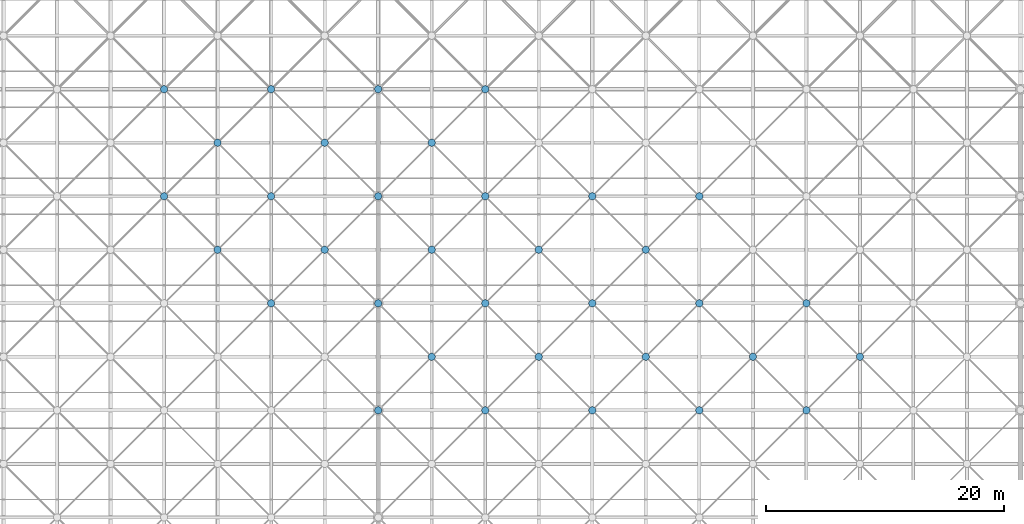
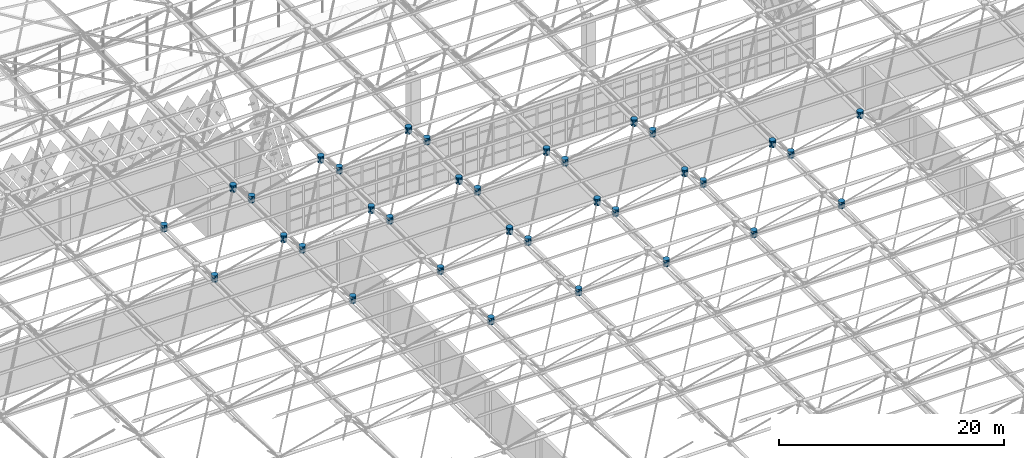
# One storey, part 310 of 437: 34 discrete accessories.
"""IFC4 building model written with IfcOpenShell, lengths in metres."""

import ifcopenshell
import ifcopenshell.guid

model = None  # the IFC model being written
_history = None  # IfcOwnerHistory: only IFC2X3 demands one
_inside = {}  # id of a spatial element -> (the spatial element, [elements in it])
_under = {}  # id of a project, library or spatial element -> (it, [spatial elements below it])
_declared = {}  # id of a project -> (the project, [libraries it declares])
_typed = {}  # id of a type object -> (the type object, [elements of that type])
_made_of = {}  # id of a material, layer set ... -> (it, [elements and type objects made of it])


def new_model(schema):
    """Start an empty IFC model of exactly this schema.

    Asked for "IFC4X3", IfcOpenShell would pick the latest addendum, in which some entities
    have other attributes; the version numbers below select the first issue.
    IFC2X3 requires an IfcOwnerHistory on every rooted entity: one is made here for all.
    """
    global model, _history
    if schema == "IFC4X3":
        model = ifcopenshell.file(schema_version=(4, 3, 0, 0))
    else:
        model = ifcopenshell.file(schema=schema)
    _inside.clear()
    _under.clear()
    _declared.clear()
    _typed.clear()
    _made_of.clear()
    _history = None
    if model.schema == "IFC2X3":
        org = make("IfcOrganization", Name="unknown")
        user = make(
            "IfcPersonAndOrganization",
            ThePerson=make("IfcPerson", FamilyName="unknown"),
            TheOrganization=org,
        )
        app = make(
            "IfcApplication",
            ApplicationDeveloper=org,
            Version="unknown",
            ApplicationFullName="unknown",
            ApplicationIdentifier="unknown",
        )
        _history = make(
            "IfcOwnerHistory",
            OwningUser=user,
            OwningApplication=app,
            ChangeAction="ADDED",
            CreationDate=0,
        )
    return model


def make(cls, **values):
    """One entity of the class cls with the attributes given. An attribute that is None is left unset."""
    return model.create_entity(
        cls, **{name: value for name, value in values.items() if value is not None}
    )


def rooted(cls, **values):
    """An entity with a GlobalId (a new one), such as an element, a storey or a relation."""
    return make(cls, GlobalId=ifcopenshell.guid.new(), OwnerHistory=_history, **values)


def si_unit(unit_type, name, prefix=None):
    """IfcSIUnit, for example si_unit("LENGTHUNIT", "METRE", prefix="MILLI")."""
    return make("IfcSIUnit", UnitType=unit_type, Prefix=prefix, Name=name)


def assignment(units):
    """IfcUnitAssignment: the units of a project."""
    return None if units is None else make("IfcUnitAssignment", Units=units)


def point(xyz):
    """IfcCartesianPoint."""
    return None if xyz is None else make("IfcCartesianPoint", Coordinates=xyz)


def direction(xyz):
    """IfcDirection."""
    return None if xyz is None else make("IfcDirection", DirectionRatios=xyz)


def frame(location, z_axis=None, x_axis=None):
    """IfcAxis2Placement3D, a coordinate frame: its origin and axes. An axis left out is left unset."""
    return make(
        "IfcAxis2Placement3D",
        Location=point(location),
        Axis=direction(z_axis),
        RefDirection=direction(x_axis),
    )


def origin():
    """The frame at (0, 0, 0) with its axes left unset."""
    return frame((0.0, 0.0, 0.0))


def place(relative_to, where):
    """IfcLocalPlacement: puts the frame where relative to a parent placement (None: the world)."""
    return make(
        "IfcLocalPlacement", PlacementRelTo=relative_to, RelativePlacement=where
    )


def context(
    kind, dimensions, precision=None, world=None, true_north=None, identifier=None
):
    """IfcGeometricRepresentationContext, for example the 3D "Model" context."""
    return make(
        "IfcGeometricRepresentationContext",
        ContextIdentifier=identifier,
        ContextType=kind,
        CoordinateSpaceDimension=dimensions,
        Precision=precision,
        WorldCoordinateSystem=world,
        TrueNorth=true_north,
    )


def subcontext(parent, identifier, kind, view, scale=None):
    """IfcGeometricRepresentationSubContext, for example "Body" below "Model"."""
    return make(
        "IfcGeometricRepresentationSubContext",
        ContextIdentifier=identifier,
        ContextType=kind,
        ParentContext=parent,
        TargetScale=scale,
        TargetView=view,
    )


def project(units=None, contexts=None):
    """IfcProject with its units and contexts."""
    return rooted(
        "IfcProject",
        Name="project",
        RepresentationContexts=contexts,
        UnitsInContext=assignment(units),
    )


def spatial(cls, under=None, at=None, **own):
    """A site, building, storey or space (cls), placed at a placement, below another one or the project."""
    s = rooted(cls, ObjectPlacement=at, **own)
    if under is not None:
        _under.setdefault(under.id(), (under, []))[1].append(s)
    return s


def polyline(points):
    """IfcPolyline through the points."""
    return make("IfcPolyline", Points=[point(p) for p in points])


def outline(outer, holes=None, kind="AREA"):
    """IfcArbitraryClosedProfileDef: a profile drawn as a closed curve; with holes, ...WithVoids."""
    if holes is None:
        return make("IfcArbitraryClosedProfileDef", ProfileType=kind, OuterCurve=outer)
    return make(
        "IfcArbitraryProfileDefWithVoids",
        ProfileType=kind,
        OuterCurve=outer,
        InnerCurves=holes,
    )


def extrude(swept, where, along, depth):
    """IfcExtrudedAreaSolid: the profile swept, set in the frame where, extruded along a direction by depth."""
    return make(
        "IfcExtrudedAreaSolid",
        SweptArea=swept,
        Position=where,
        ExtrudedDirection=direction(along),
        Depth=depth,
    )


def shape(context_of_items, identifier, shape_type, items):
    """IfcShapeRepresentation: the items that make up one representation, for example the "Body"."""
    return make(
        "IfcShapeRepresentation",
        ContextOfItems=context_of_items,
        RepresentationIdentifier=identifier,
        RepresentationType=shape_type,
        Items=items,
    )


def material(Name=None, Category=None):
    """IfcMaterial."""
    return make("IfcMaterial", Name=Name, Category=Category)


def made_of(thing, what):
    """Note that an element or type object is made of a material, layer set ...; save() writes the relation."""
    if what is not None:
        _made_of.setdefault(what.id(), (what, []))[1].append(thing)
    return thing


def type_object(cls, material=None, **own):
    """A type object (cls), such as IfcWallType, which elements share."""
    return made_of(rooted(cls, **own), material)


def element(
    cls,
    number,
    at=None,
    inside=None,
    cuts=None,
    type_object=None,
    material=None,
    context=None,
    identifier="Body",
    shape_type=None,
    held_by="IfcProductDefinitionShape",
    body=None,
    shapes=None,
    **own,
):
    """One element of the class cls, such as IfcWall. Its Tag is "e" and its number.

    at: its placement. inside: the storey or other place that contains it. cuts: it is an
    opening in that element (IfcRelVoidsElement). A single representation is given by context,
    identifier, shape_type and body (its items); several are given by shapes. held_by: the class
    of the entity that holds the representations. save() writes the other relations.
    """
    e = rooted(cls, Tag="e%d" % number, ObjectPlacement=at, **own)
    if body is not None:
        shapes = [shape(context, identifier, shape_type, body)]
    if shapes is not None:
        e.Representation = make(held_by, Representations=shapes)
    if inside is not None:
        _inside.setdefault(inside.id(), (inside, []))[1].append(e)
    if cuts is not None:
        rooted(
            "IfcRelVoidsElement", RelatingBuildingElement=cuts, RelatedOpeningElement=e
        )
    if type_object is not None:
        _typed.setdefault(type_object.id(), (type_object, []))[1].append(e)
    return made_of(e, material)


def aggregate(whole, parts):
    """IfcRelAggregates: a whole, such as a stair, and the parts it consists of."""
    return rooted("IfcRelAggregates", RelatingObject=whole, RelatedObjects=parts)


def save(model, path):
    """Write the relations noted so far, then the file.

    IfcRelAggregates (storeys below a building ...), IfcRelContainedInSpatialStructure (elements
    in a storey), IfcRelDefinesByType, IfcRelAssociatesMaterial and IfcRelDeclares: one each for
    every whole, place, type object, material and project.
    """
    for whole, parts in _under.values():
        aggregate(whole, parts)
    for where, things in _inside.values():
        rooted(
            "IfcRelContainedInSpatialStructure",
            RelatedElements=things,
            RelatingStructure=where,
        )
    for kind, things in _typed.values():
        rooted("IfcRelDefinesByType", RelatedObjects=things, RelatingType=kind)
    for what, things in _made_of.values():
        rooted("IfcRelAssociatesMaterial", RelatedObjects=things, RelatingMaterial=what)
    for by, libraries in _declared.values():
        rooted("IfcRelDeclares", RelatingContext=by, RelatedDefinitions=libraries)
    model.write(path)


model = new_model("IFC4")

# Units and contexts
model_context = context("Model", 3, precision=1e-05, world=origin(), true_north=direction((0.0, 1.0)))
body_context = subcontext(model_context, "Body", "Model", "MODEL_VIEW")
ifc_project = project(units=[si_unit("LENGTHUNIT", "METRE"), si_unit("AREAUNIT", "SQUARE_METRE"), si_unit("VOLUMEUNIT", "CUBIC_METRE"), si_unit("PLANEANGLEUNIT", "RADIAN"), si_unit("MASSUNIT", "GRAM", prefix="KILO")], contexts=[model_context])

# Site, building, storey
site_placement = place(None, origin())
site = spatial("IfcSite", under=ifc_project, at=site_placement, CompositionType="ELEMENT")
building_placement = place(site_placement, origin())
building = spatial("IfcBuilding", under=site, at=building_placement, Name="Opaline Strait Convention Centre", CompositionType="ELEMENT")
storey_placement = place(building_placement, frame((0.0, 0.0, 11.5)))
storey = spatial("IfcBuildingStorey", under=building, at=storey_placement, Name="L02", CompositionType="ELEMENT", Elevation=11.5)

# Discrete accessories
ifc_material = material(Name="Cast steel ZG300-500H (300 MPa)", Category="steel")
discrete_accessory_type = type_object("IfcDiscreteAccessoryType", Name="Space frame node hub D600", PredefinedType="USERDEFINED", material=ifc_material)
discrete_accessory_1_placement = place(storey_placement, frame((0.0, 0.0, 17.611572265625)))
element("IfcDiscreteAccessory", 1, at=discrete_accessory_1_placement, inside=storey, type_object=discrete_accessory_type, Name="Top node 7/10", ObjectType="NODE HUB", PredefinedType="USERDEFINED", context=body_context, shape_type="SweptSolid", body=[
    extrude(outline(polyline([(139.800048828125, 121.559814453125), (139.75439453125, 121.669921875), (139.669921875, 121.75439453125), (139.559814453125, 121.800048828125), (139.440185546875, 121.800048828125), (139.330078125, 121.75439453125), (139.24560546875, 121.669921875), (139.199951171875, 121.559814453125), (139.199951171875, 121.440185546875), (139.24560546875, 121.330078125), (139.330078125, 121.24560546875), (139.440185546875, 121.199951171875), (139.559814453125, 121.199951171875), (139.669921875, 121.24560546875), (139.75439453125, 121.330078125), (139.800048828125, 121.440185546875), (139.800048828125, 121.559814453125)])), origin(), (0.0, 0.0, 1.0), 0.719970703125),
])
discrete_accessory_2_placement = place(storey_placement, frame((0.0, 0.0, 17.611572265625)))
element("IfcDiscreteAccessory", 2, at=discrete_accessory_2_placement, inside=storey, type_object=discrete_accessory_type, Name="Top node 7/11", ObjectType="NODE HUB", PredefinedType="USERDEFINED", context=body_context, shape_type="SweptSolid", body=[
    extrude(outline(polyline([(139.800048828125, 130.559814453125), (139.75439453125, 130.669921875), (139.669921875, 130.75439453125), (139.559814453125, 130.800048828125), (139.440185546875, 130.800048828125), (139.330078125, 130.75439453125), (139.24560546875, 130.669921875), (139.199951171875, 130.559814453125), (139.199951171875, 130.440185546875), (139.24560546875, 130.330078125), (139.330078125, 130.24560546875), (139.440185546875, 130.199951171875), (139.559814453125, 130.199951171875), (139.669921875, 130.24560546875), (139.75439453125, 130.330078125), (139.800048828125, 130.440185546875), (139.800048828125, 130.559814453125)])), origin(), (0.0, 0.0, 1.0), 0.719970703125),
])
discrete_accessory_3_placement = place(storey_placement, frame((0.0, 0.0, 17.611572265625)))
element("IfcDiscreteAccessory", 3, at=discrete_accessory_3_placement, inside=storey, type_object=discrete_accessory_type, Name="Top node 8/10", ObjectType="NODE HUB", PredefinedType="USERDEFINED", context=body_context, shape_type="SweptSolid", body=[
    extrude(outline(polyline([(148.800048828125, 121.559814453125), (148.75439453125, 121.669921875), (148.669921875, 121.75439453125), (148.559814453125, 121.800048828125), (148.440185546875, 121.800048828125), (148.330078125, 121.75439453125), (148.24560546875, 121.669921875), (148.199951171875, 121.559814453125), (148.199951171875, 121.440185546875), (148.24560546875, 121.330078125), (148.330078125, 121.24560546875), (148.440185546875, 121.199951171875), (148.559814453125, 121.199951171875), (148.669921875, 121.24560546875), (148.75439453125, 121.330078125), (148.800048828125, 121.440185546875), (148.800048828125, 121.559814453125)])), origin(), (0.0, 0.0, 1.0), 0.719970703125),
])
discrete_accessory_4_placement = place(storey_placement, frame((0.0, 0.0, 17.611572265625)))
element("IfcDiscreteAccessory", 4, at=discrete_accessory_4_placement, inside=storey, type_object=discrete_accessory_type, Name="Top node 8/11", ObjectType="NODE HUB", PredefinedType="USERDEFINED", context=body_context, shape_type="SweptSolid", body=[
    extrude(outline(polyline([(148.800048828125, 130.559814453125), (148.75439453125, 130.669921875), (148.669921875, 130.75439453125), (148.559814453125, 130.800048828125), (148.440185546875, 130.800048828125), (148.330078125, 130.75439453125), (148.24560546875, 130.669921875), (148.199951171875, 130.559814453125), (148.199951171875, 130.440185546875), (148.24560546875, 130.330078125), (148.330078125, 130.24560546875), (148.440185546875, 130.199951171875), (148.559814453125, 130.199951171875), (148.669921875, 130.24560546875), (148.75439453125, 130.330078125), (148.800048828125, 130.440185546875), (148.800048828125, 130.559814453125)])), origin(), (0.0, 0.0, 1.0), 0.719970703125),
])
discrete_accessory_5_placement = place(storey_placement, frame((0.0, 0.0, 17.611572265625)))
element("IfcDiscreteAccessory", 5, at=discrete_accessory_5_placement, inside=storey, type_object=discrete_accessory_type, Name="Top node 9/9", ObjectType="NODE HUB", PredefinedType="USERDEFINED", context=body_context, shape_type="SweptSolid", body=[
    extrude(outline(polyline([(157.800048828125, 112.559814453125), (157.75439453125, 112.669921875), (157.669921875, 112.75439453125), (157.559814453125, 112.800048828125), (157.440185546875, 112.800048828125), (157.330078125, 112.75439453125), (157.24560546875, 112.669921875), (157.199951171875, 112.559814453125), (157.199951171875, 112.440185546875), (157.24560546875, 112.330078125), (157.330078125, 112.24560546875), (157.440185546875, 112.199951171875), (157.559814453125, 112.199951171875), (157.669921875, 112.24560546875), (157.75439453125, 112.330078125), (157.800048828125, 112.440185546875), (157.800048828125, 112.559814453125)])), origin(), (0.0, 0.0, 1.0), 0.719970703125),
])
discrete_accessory_6_placement = place(storey_placement, frame((0.0, 0.0, 17.611572265625)))
element("IfcDiscreteAccessory", 6, at=discrete_accessory_6_placement, inside=storey, type_object=discrete_accessory_type, Name="Top node 9/10", ObjectType="NODE HUB", PredefinedType="USERDEFINED", context=body_context, shape_type="SweptSolid", body=[
    extrude(outline(polyline([(157.800048828125, 121.559814453125), (157.75439453125, 121.669921875), (157.669921875, 121.75439453125), (157.559814453125, 121.800048828125), (157.440185546875, 121.800048828125), (157.330078125, 121.75439453125), (157.24560546875, 121.669921875), (157.199951171875, 121.559814453125), (157.199951171875, 121.440185546875), (157.24560546875, 121.330078125), (157.330078125, 121.24560546875), (157.440185546875, 121.199951171875), (157.559814453125, 121.199951171875), (157.669921875, 121.24560546875), (157.75439453125, 121.330078125), (157.800048828125, 121.440185546875), (157.800048828125, 121.559814453125)])), origin(), (0.0, 0.0, 1.0), 0.719970703125),
])
discrete_accessory_7_placement = place(storey_placement, frame((0.0, 0.0, 17.611572265625)))
element("IfcDiscreteAccessory", 7, at=discrete_accessory_7_placement, inside=storey, type_object=discrete_accessory_type, Name="Top node 9/11", ObjectType="NODE HUB", PredefinedType="USERDEFINED", context=body_context, shape_type="SweptSolid", body=[
    extrude(outline(polyline([(157.800048828125, 130.559814453125), (157.75439453125, 130.669921875), (157.669921875, 130.75439453125), (157.559814453125, 130.800048828125), (157.440185546875, 130.800048828125), (157.330078125, 130.75439453125), (157.24560546875, 130.669921875), (157.199951171875, 130.559814453125), (157.199951171875, 130.440185546875), (157.24560546875, 130.330078125), (157.330078125, 130.24560546875), (157.440185546875, 130.199951171875), (157.559814453125, 130.199951171875), (157.669921875, 130.24560546875), (157.75439453125, 130.330078125), (157.800048828125, 130.440185546875), (157.800048828125, 130.559814453125)])), origin(), (0.0, 0.0, 1.0), 0.719970703125),
])
discrete_accessory_8_placement = place(storey_placement, frame((0.0, 0.0, 17.611572265625)))
element("IfcDiscreteAccessory", 8, at=discrete_accessory_8_placement, inside=storey, type_object=discrete_accessory_type, Name="Top node 10/9", ObjectType="NODE HUB", PredefinedType="USERDEFINED", context=body_context, shape_type="SweptSolid", body=[
    extrude(outline(polyline([(166.800048828125, 112.559814453125), (166.75439453125, 112.669921875), (166.669921875, 112.75439453125), (166.559814453125, 112.800048828125), (166.440185546875, 112.800048828125), (166.330078125, 112.75439453125), (166.24560546875, 112.669921875), (166.199951171875, 112.559814453125), (166.199951171875, 112.440185546875), (166.24560546875, 112.330078125), (166.330078125, 112.24560546875), (166.440185546875, 112.199951171875), (166.559814453125, 112.199951171875), (166.669921875, 112.24560546875), (166.75439453125, 112.330078125), (166.800048828125, 112.440185546875), (166.800048828125, 112.559814453125)])), origin(), (0.0, 0.0, 1.0), 0.719970703125),
])
discrete_accessory_9_placement = place(storey_placement, frame((0.0, 0.0, 17.611572265625)))
element("IfcDiscreteAccessory", 9, at=discrete_accessory_9_placement, inside=storey, type_object=discrete_accessory_type, Name="Top node 10/10", ObjectType="NODE HUB", PredefinedType="USERDEFINED", context=body_context, shape_type="SweptSolid", body=[
    extrude(outline(polyline([(166.800048828125, 121.559814453125), (166.75439453125, 121.669921875), (166.669921875, 121.75439453125), (166.559814453125, 121.800048828125), (166.440185546875, 121.800048828125), (166.330078125, 121.75439453125), (166.24560546875, 121.669921875), (166.199951171875, 121.559814453125), (166.199951171875, 121.440185546875), (166.24560546875, 121.330078125), (166.330078125, 121.24560546875), (166.440185546875, 121.199951171875), (166.559814453125, 121.199951171875), (166.669921875, 121.24560546875), (166.75439453125, 121.330078125), (166.800048828125, 121.440185546875), (166.800048828125, 121.559814453125)])), origin(), (0.0, 0.0, 1.0), 0.719970703125),
])
discrete_accessory_10_placement = place(storey_placement, frame((0.0, 0.0, 17.611572265625)))
element("IfcDiscreteAccessory", 10, at=discrete_accessory_10_placement, inside=storey, type_object=discrete_accessory_type, Name="Top node 11/9", ObjectType="NODE HUB", PredefinedType="USERDEFINED", context=body_context, shape_type="SweptSolid", body=[
    extrude(outline(polyline([(175.800048828125, 112.559814453125), (175.75439453125, 112.669921875), (175.669921875, 112.75439453125), (175.559814453125, 112.800048828125), (175.440185546875, 112.800048828125), (175.330078125, 112.75439453125), (175.24560546875, 112.669921875), (175.199951171875, 112.559814453125), (175.199951171875, 112.440185546875), (175.24560546875, 112.330078125), (175.330078125, 112.24560546875), (175.440185546875, 112.199951171875), (175.559814453125, 112.199951171875), (175.669921875, 112.24560546875), (175.75439453125, 112.330078125), (175.800048828125, 112.440185546875), (175.800048828125, 112.559814453125)])), origin(), (0.0, 0.0, 1.0), 0.719970703125),
])
discrete_accessory_11_placement = place(storey_placement, frame((0.0, 0.0, 17.611572265625)))
element("IfcDiscreteAccessory", 11, at=discrete_accessory_11_placement, inside=storey, type_object=discrete_accessory_type, Name="Top node 11/10", ObjectType="NODE HUB", PredefinedType="USERDEFINED", context=body_context, shape_type="SweptSolid", body=[
    extrude(outline(polyline([(175.800048828125, 121.559814453125), (175.75439453125, 121.669921875), (175.669921875, 121.75439453125), (175.559814453125, 121.800048828125), (175.440185546875, 121.800048828125), (175.330078125, 121.75439453125), (175.24560546875, 121.669921875), (175.199951171875, 121.559814453125), (175.199951171875, 121.440185546875), (175.24560546875, 121.330078125), (175.330078125, 121.24560546875), (175.440185546875, 121.199951171875), (175.559814453125, 121.199951171875), (175.669921875, 121.24560546875), (175.75439453125, 121.330078125), (175.800048828125, 121.440185546875), (175.800048828125, 121.559814453125)])), origin(), (0.0, 0.0, 1.0), 0.719970703125),
])
discrete_accessory_12_placement = place(storey_placement, frame((0.0, 0.0, 17.611572265625)))
element("IfcDiscreteAccessory", 12, at=discrete_accessory_12_placement, inside=storey, type_object=discrete_accessory_type, Name="Top node 12/9", ObjectType="NODE HUB", PredefinedType="USERDEFINED", context=body_context, shape_type="SweptSolid", body=[
    extrude(outline(polyline([(184.800048828125, 112.559814453125), (184.75439453125, 112.669921875), (184.669921875, 112.75439453125), (184.559814453125, 112.800048828125), (184.440185546875, 112.800048828125), (184.330078125, 112.75439453125), (184.24560546875, 112.669921875), (184.199951171875, 112.559814453125), (184.199951171875, 112.440185546875), (184.24560546875, 112.330078125), (184.330078125, 112.24560546875), (184.440185546875, 112.199951171875), (184.559814453125, 112.199951171875), (184.669921875, 112.24560546875), (184.75439453125, 112.330078125), (184.800048828125, 112.440185546875), (184.800048828125, 112.559814453125)])), origin(), (0.0, 0.0, 1.0), 0.719970703125),
])
discrete_accessory_13_placement = place(storey_placement, frame((0.0, 0.0, 17.611572265625)))
element("IfcDiscreteAccessory", 13, at=discrete_accessory_13_placement, inside=storey, type_object=discrete_accessory_type, Name="Top node 13/9", ObjectType="NODE HUB", PredefinedType="USERDEFINED", context=body_context, shape_type="SweptSolid", body=[
    extrude(outline(polyline([(193.800048828125, 112.559814453125), (193.75439453125, 112.669921875), (193.669921875, 112.75439453125), (193.559814453125, 112.800048828125), (193.440185546875, 112.800048828125), (193.330078125, 112.75439453125), (193.24560546875, 112.669921875), (193.199951171875, 112.559814453125), (193.199951171875, 112.440185546875), (193.24560546875, 112.330078125), (193.330078125, 112.24560546875), (193.440185546875, 112.199951171875), (193.559814453125, 112.199951171875), (193.669921875, 112.24560546875), (193.75439453125, 112.330078125), (193.800048828125, 112.440185546875), (193.800048828125, 112.559814453125)])), origin(), (0.0, 0.0, 1.0), 0.719970703125),
])
discrete_accessory_14_placement = place(storey_placement, frame((0.0, 0.0, 12.139892578125)))
element("IfcDiscreteAccessory", 14, at=discrete_accessory_14_placement, inside=storey, type_object=discrete_accessory_type, Name="Bottom node 6/10", ObjectType="NODE HUB", PredefinedType="USERDEFINED", context=body_context, shape_type="SweptSolid", body=[
    extrude(outline(polyline([(135.300048828125, 126.059814453125), (135.25439453125, 126.169921875), (135.169921875, 126.25439453125), (135.059814453125, 126.300048828125), (134.940185546875, 126.300048828125), (134.830078125, 126.25439453125), (134.74560546875, 126.169921875), (134.699951171875, 126.059814453125), (134.699951171875, 125.940185546875), (134.74560546875, 125.830078125), (134.830078125, 125.74560546875), (134.940185546875, 125.699951171875), (135.059814453125, 125.699951171875), (135.169921875, 125.74560546875), (135.25439453125, 125.830078125), (135.300048828125, 125.940185546875), (135.300048828125, 126.059814453125)])), origin(), (0.0, 0.0, 1.0), 0.72021484375),
])
discrete_accessory_15_placement = place(storey_placement, frame((0.0, 0.0, 12.139892578125)))
element("IfcDiscreteAccessory", 15, at=discrete_accessory_15_placement, inside=storey, type_object=discrete_accessory_type, Name="Bottom node 6/11", ObjectType="NODE HUB", PredefinedType="USERDEFINED", context=body_context, shape_type="SweptSolid", body=[
    extrude(outline(polyline([(135.300048828125, 135.059814453125), (135.25439453125, 135.169921875), (135.169921875, 135.25439453125), (135.059814453125, 135.300048828125), (134.940185546875, 135.300048828125), (134.830078125, 135.25439453125), (134.74560546875, 135.169921875), (134.699951171875, 135.059814453125), (134.699951171875, 134.940185546875), (134.74560546875, 134.830078125), (134.830078125, 134.74560546875), (134.940185546875, 134.699951171875), (135.059814453125, 134.699951171875), (135.169921875, 134.74560546875), (135.25439453125, 134.830078125), (135.300048828125, 134.940185546875), (135.300048828125, 135.059814453125)])), origin(), (0.0, 0.0, 1.0), 0.72021484375),
])
discrete_accessory_16_placement = place(storey_placement, frame((0.0, 0.0, 12.139892578125)))
element("IfcDiscreteAccessory", 16, at=discrete_accessory_16_placement, inside=storey, type_object=discrete_accessory_type, Name="Bottom node 7/9", ObjectType="NODE HUB", PredefinedType="USERDEFINED", context=body_context, shape_type="SweptSolid", body=[
    extrude(outline(polyline([(144.300048828125, 117.059814453125), (144.25439453125, 117.169921875), (144.169921875, 117.25439453125), (144.059814453125, 117.300048828125), (143.940185546875, 117.300048828125), (143.830078125, 117.25439453125), (143.74560546875, 117.169921875), (143.699951171875, 117.059814453125), (143.699951171875, 116.940185546875), (143.74560546875, 116.830078125), (143.830078125, 116.74560546875), (143.940185546875, 116.699951171875), (144.059814453125, 116.699951171875), (144.169921875, 116.74560546875), (144.25439453125, 116.830078125), (144.300048828125, 116.940185546875), (144.300048828125, 117.059814453125)])), origin(), (0.0, 0.0, 1.0), 0.72021484375),
])
discrete_accessory_17_placement = place(storey_placement, frame((0.0, 0.0, 12.139892578125)))
element("IfcDiscreteAccessory", 17, at=discrete_accessory_17_placement, inside=storey, type_object=discrete_accessory_type, Name="Bottom node 7/10", ObjectType="NODE HUB", PredefinedType="USERDEFINED", context=body_context, shape_type="SweptSolid", body=[
    extrude(outline(polyline([(144.300048828125, 126.059814453125), (144.25439453125, 126.169921875), (144.169921875, 126.25439453125), (144.059814453125, 126.300048828125), (143.940185546875, 126.300048828125), (143.830078125, 126.25439453125), (143.74560546875, 126.169921875), (143.699951171875, 126.059814453125), (143.699951171875, 125.940185546875), (143.74560546875, 125.830078125), (143.830078125, 125.74560546875), (143.940185546875, 125.699951171875), (144.059814453125, 125.699951171875), (144.169921875, 125.74560546875), (144.25439453125, 125.830078125), (144.300048828125, 125.940185546875), (144.300048828125, 126.059814453125)])), origin(), (0.0, 0.0, 1.0), 0.72021484375),
])
discrete_accessory_18_placement = place(storey_placement, frame((0.0, 0.0, 12.139892578125)))
element("IfcDiscreteAccessory", 18, at=discrete_accessory_18_placement, inside=storey, type_object=discrete_accessory_type, Name="Bottom node 7/11", ObjectType="NODE HUB", PredefinedType="USERDEFINED", context=body_context, shape_type="SweptSolid", body=[
    extrude(outline(polyline([(144.300048828125, 135.059814453125), (144.25439453125, 135.169921875), (144.169921875, 135.25439453125), (144.059814453125, 135.300048828125), (143.940185546875, 135.300048828125), (143.830078125, 135.25439453125), (143.74560546875, 135.169921875), (143.699951171875, 135.059814453125), (143.699951171875, 134.940185546875), (143.74560546875, 134.830078125), (143.830078125, 134.74560546875), (143.940185546875, 134.699951171875), (144.059814453125, 134.699951171875), (144.169921875, 134.74560546875), (144.25439453125, 134.830078125), (144.300048828125, 134.940185546875), (144.300048828125, 135.059814453125)])), origin(), (0.0, 0.0, 1.0), 0.72021484375),
])
discrete_accessory_19_placement = place(storey_placement, frame((0.0, 0.0, 12.139892578125)))
element("IfcDiscreteAccessory", 19, at=discrete_accessory_19_placement, inside=storey, type_object=discrete_accessory_type, Name="Bottom node 8/8", ObjectType="NODE HUB", PredefinedType="USERDEFINED", context=body_context, shape_type="SweptSolid", body=[
    extrude(outline(polyline([(153.300048828125, 108.059814453125), (153.25439453125, 108.169921875), (153.169921875, 108.25439453125), (153.059814453125, 108.300048828125), (152.940185546875, 108.300048828125), (152.830078125, 108.25439453125), (152.74560546875, 108.169921875), (152.699951171875, 108.059814453125), (152.699951171875, 107.940185546875), (152.74560546875, 107.830078125), (152.830078125, 107.74560546875), (152.940185546875, 107.699951171875), (153.059814453125, 107.699951171875), (153.169921875, 107.74560546875), (153.25439453125, 107.830078125), (153.300048828125, 107.940185546875), (153.300048828125, 108.059814453125)])), origin(), (0.0, 0.0, 1.0), 0.72021484375),
])
discrete_accessory_20_placement = place(storey_placement, frame((0.0, 0.0, 12.139892578125)))
element("IfcDiscreteAccessory", 20, at=discrete_accessory_20_placement, inside=storey, type_object=discrete_accessory_type, Name="Bottom node 8/9", ObjectType="NODE HUB", PredefinedType="USERDEFINED", context=body_context, shape_type="SweptSolid", body=[
    extrude(outline(polyline([(153.300048828125, 117.059814453125), (153.25439453125, 117.169921875), (153.169921875, 117.25439453125), (153.059814453125, 117.300048828125), (152.940185546875, 117.300048828125), (152.830078125, 117.25439453125), (152.74560546875, 117.169921875), (152.699951171875, 117.059814453125), (152.699951171875, 116.940185546875), (152.74560546875, 116.830078125), (152.830078125, 116.74560546875), (152.940185546875, 116.699951171875), (153.059814453125, 116.699951171875), (153.169921875, 116.74560546875), (153.25439453125, 116.830078125), (153.300048828125, 116.940185546875), (153.300048828125, 117.059814453125)])), origin(), (0.0, 0.0, 1.0), 0.72021484375),
])
discrete_accessory_21_placement = place(storey_placement, frame((0.0, 0.0, 12.139892578125)))
element("IfcDiscreteAccessory", 21, at=discrete_accessory_21_placement, inside=storey, type_object=discrete_accessory_type, Name="Bottom node 8/10", ObjectType="NODE HUB", PredefinedType="USERDEFINED", context=body_context, shape_type="SweptSolid", body=[
    extrude(outline(polyline([(153.300048828125, 126.059814453125), (153.25439453125, 126.169921875), (153.169921875, 126.25439453125), (153.059814453125, 126.300048828125), (152.940185546875, 126.300048828125), (152.830078125, 126.25439453125), (152.74560546875, 126.169921875), (152.699951171875, 126.059814453125), (152.699951171875, 125.940185546875), (152.74560546875, 125.830078125), (152.830078125, 125.74560546875), (152.940185546875, 125.699951171875), (153.059814453125, 125.699951171875), (153.169921875, 125.74560546875), (153.25439453125, 125.830078125), (153.300048828125, 125.940185546875), (153.300048828125, 126.059814453125)])), origin(), (0.0, 0.0, 1.0), 0.72021484375),
])
discrete_accessory_22_placement = place(storey_placement, frame((0.0, 0.0, 12.139892578125)))
element("IfcDiscreteAccessory", 22, at=discrete_accessory_22_placement, inside=storey, type_object=discrete_accessory_type, Name="Bottom node 8/11", ObjectType="NODE HUB", PredefinedType="USERDEFINED", context=body_context, shape_type="SweptSolid", body=[
    extrude(outline(polyline([(153.300048828125, 135.059814453125), (153.25439453125, 135.169921875), (153.169921875, 135.25439453125), (153.059814453125, 135.300048828125), (152.940185546875, 135.300048828125), (152.830078125, 135.25439453125), (152.74560546875, 135.169921875), (152.699951171875, 135.059814453125), (152.699951171875, 134.940185546875), (152.74560546875, 134.830078125), (152.830078125, 134.74560546875), (152.940185546875, 134.699951171875), (153.059814453125, 134.699951171875), (153.169921875, 134.74560546875), (153.25439453125, 134.830078125), (153.300048828125, 134.940185546875), (153.300048828125, 135.059814453125)])), origin(), (0.0, 0.0, 1.0), 0.72021484375),
])
discrete_accessory_23_placement = place(storey_placement, frame((0.0, 0.0, 12.139892578125)))
element("IfcDiscreteAccessory", 23, at=discrete_accessory_23_placement, inside=storey, type_object=discrete_accessory_type, Name="Bottom node 9/8", ObjectType="NODE HUB", PredefinedType="USERDEFINED", context=body_context, shape_type="SweptSolid", body=[
    extrude(outline(polyline([(162.300048828125, 108.059814453125), (162.25439453125, 108.169921875), (162.169921875, 108.25439453125), (162.059814453125, 108.300048828125), (161.940185546875, 108.300048828125), (161.830078125, 108.25439453125), (161.74560546875, 108.169921875), (161.699951171875, 108.059814453125), (161.699951171875, 107.940185546875), (161.74560546875, 107.830078125), (161.830078125, 107.74560546875), (161.940185546875, 107.699951171875), (162.059814453125, 107.699951171875), (162.169921875, 107.74560546875), (162.25439453125, 107.830078125), (162.300048828125, 107.940185546875), (162.300048828125, 108.059814453125)])), origin(), (0.0, 0.0, 1.0), 0.72021484375),
])
discrete_accessory_24_placement = place(storey_placement, frame((0.0, 0.0, 12.139892578125)))
element("IfcDiscreteAccessory", 24, at=discrete_accessory_24_placement, inside=storey, type_object=discrete_accessory_type, Name="Bottom node 9/9", ObjectType="NODE HUB", PredefinedType="USERDEFINED", context=body_context, shape_type="SweptSolid", body=[
    extrude(outline(polyline([(162.300048828125, 117.059814453125), (162.25439453125, 117.169921875), (162.169921875, 117.25439453125), (162.059814453125, 117.300048828125), (161.940185546875, 117.300048828125), (161.830078125, 117.25439453125), (161.74560546875, 117.169921875), (161.699951171875, 117.059814453125), (161.699951171875, 116.940185546875), (161.74560546875, 116.830078125), (161.830078125, 116.74560546875), (161.940185546875, 116.699951171875), (162.059814453125, 116.699951171875), (162.169921875, 116.74560546875), (162.25439453125, 116.830078125), (162.300048828125, 116.940185546875), (162.300048828125, 117.059814453125)])), origin(), (0.0, 0.0, 1.0), 0.72021484375),
])
discrete_accessory_25_placement = place(storey_placement, frame((0.0, 0.0, 12.139892578125)))
element("IfcDiscreteAccessory", 25, at=discrete_accessory_25_placement, inside=storey, type_object=discrete_accessory_type, Name="Bottom node 9/10", ObjectType="NODE HUB", PredefinedType="USERDEFINED", context=body_context, shape_type="SweptSolid", body=[
    extrude(outline(polyline([(162.300048828125, 126.059814453125), (162.25439453125, 126.169921875), (162.169921875, 126.25439453125), (162.059814453125, 126.300048828125), (161.940185546875, 126.300048828125), (161.830078125, 126.25439453125), (161.74560546875, 126.169921875), (161.699951171875, 126.059814453125), (161.699951171875, 125.940185546875), (161.74560546875, 125.830078125), (161.830078125, 125.74560546875), (161.940185546875, 125.699951171875), (162.059814453125, 125.699951171875), (162.169921875, 125.74560546875), (162.25439453125, 125.830078125), (162.300048828125, 125.940185546875), (162.300048828125, 126.059814453125)])), origin(), (0.0, 0.0, 1.0), 0.72021484375),
])
discrete_accessory_26_placement = place(storey_placement, frame((0.0, 0.0, 12.139892578125)))
element("IfcDiscreteAccessory", 26, at=discrete_accessory_26_placement, inside=storey, type_object=discrete_accessory_type, Name="Bottom node 9/11", ObjectType="NODE HUB", PredefinedType="USERDEFINED", context=body_context, shape_type="SweptSolid", body=[
    extrude(outline(polyline([(162.300048828125, 135.059814453125), (162.25439453125, 135.169921875), (162.169921875, 135.25439453125), (162.059814453125, 135.300048828125), (161.940185546875, 135.300048828125), (161.830078125, 135.25439453125), (161.74560546875, 135.169921875), (161.699951171875, 135.059814453125), (161.699951171875, 134.940185546875), (161.74560546875, 134.830078125), (161.830078125, 134.74560546875), (161.940185546875, 134.699951171875), (162.059814453125, 134.699951171875), (162.169921875, 134.74560546875), (162.25439453125, 134.830078125), (162.300048828125, 134.940185546875), (162.300048828125, 135.059814453125)])), origin(), (0.0, 0.0, 1.0), 0.72021484375),
])
discrete_accessory_27_placement = place(storey_placement, frame((0.0, 0.0, 12.139892578125)))
element("IfcDiscreteAccessory", 27, at=discrete_accessory_27_placement, inside=storey, type_object=discrete_accessory_type, Name="Bottom node 10/8", ObjectType="NODE HUB", PredefinedType="USERDEFINED", context=body_context, shape_type="SweptSolid", body=[
    extrude(outline(polyline([(171.300048828125, 108.059814453125), (171.25439453125, 108.169921875), (171.169921875, 108.25439453125), (171.059814453125, 108.300048828125), (170.940185546875, 108.300048828125), (170.830078125, 108.25439453125), (170.74560546875, 108.169921875), (170.699951171875, 108.059814453125), (170.699951171875, 107.940185546875), (170.74560546875, 107.830078125), (170.830078125, 107.74560546875), (170.940185546875, 107.699951171875), (171.059814453125, 107.699951171875), (171.169921875, 107.74560546875), (171.25439453125, 107.830078125), (171.300048828125, 107.940185546875), (171.300048828125, 108.059814453125)])), origin(), (0.0, 0.0, 1.0), 0.72021484375),
])
discrete_accessory_28_placement = place(storey_placement, frame((0.0, 0.0, 12.139892578125)))
element("IfcDiscreteAccessory", 28, at=discrete_accessory_28_placement, inside=storey, type_object=discrete_accessory_type, Name="Bottom node 10/9", ObjectType="NODE HUB", PredefinedType="USERDEFINED", context=body_context, shape_type="SweptSolid", body=[
    extrude(outline(polyline([(171.300048828125, 117.059814453125), (171.25439453125, 117.169921875), (171.169921875, 117.25439453125), (171.059814453125, 117.300048828125), (170.940185546875, 117.300048828125), (170.830078125, 117.25439453125), (170.74560546875, 117.169921875), (170.699951171875, 117.059814453125), (170.699951171875, 116.940185546875), (170.74560546875, 116.830078125), (170.830078125, 116.74560546875), (170.940185546875, 116.699951171875), (171.059814453125, 116.699951171875), (171.169921875, 116.74560546875), (171.25439453125, 116.830078125), (171.300048828125, 116.940185546875), (171.300048828125, 117.059814453125)])), origin(), (0.0, 0.0, 1.0), 0.72021484375),
])
discrete_accessory_29_placement = place(storey_placement, frame((0.0, 0.0, 12.139892578125)))
element("IfcDiscreteAccessory", 29, at=discrete_accessory_29_placement, inside=storey, type_object=discrete_accessory_type, Name="Bottom node 10/10", ObjectType="NODE HUB", PredefinedType="USERDEFINED", context=body_context, shape_type="SweptSolid", body=[
    extrude(outline(polyline([(171.300048828125, 126.059814453125), (171.25439453125, 126.169921875), (171.169921875, 126.25439453125), (171.059814453125, 126.300048828125), (170.940185546875, 126.300048828125), (170.830078125, 126.25439453125), (170.74560546875, 126.169921875), (170.699951171875, 126.059814453125), (170.699951171875, 125.940185546875), (170.74560546875, 125.830078125), (170.830078125, 125.74560546875), (170.940185546875, 125.699951171875), (171.059814453125, 125.699951171875), (171.169921875, 125.74560546875), (171.25439453125, 125.830078125), (171.300048828125, 125.940185546875), (171.300048828125, 126.059814453125)])), origin(), (0.0, 0.0, 1.0), 0.72021484375),
])
discrete_accessory_30_placement = place(storey_placement, frame((0.0, 0.0, 12.139892578125)))
element("IfcDiscreteAccessory", 30, at=discrete_accessory_30_placement, inside=storey, type_object=discrete_accessory_type, Name="Bottom node 11/8", ObjectType="NODE HUB", PredefinedType="USERDEFINED", context=body_context, shape_type="SweptSolid", body=[
    extrude(outline(polyline([(180.300048828125, 108.059814453125), (180.25439453125, 108.169921875), (180.169921875, 108.25439453125), (180.059814453125, 108.300048828125), (179.940185546875, 108.300048828125), (179.830078125, 108.25439453125), (179.74560546875, 108.169921875), (179.699951171875, 108.059814453125), (179.699951171875, 107.940185546875), (179.74560546875, 107.830078125), (179.830078125, 107.74560546875), (179.940185546875, 107.699951171875), (180.059814453125, 107.699951171875), (180.169921875, 107.74560546875), (180.25439453125, 107.830078125), (180.300048828125, 107.940185546875), (180.300048828125, 108.059814453125)])), origin(), (0.0, 0.0, 1.0), 0.72021484375),
])
discrete_accessory_31_placement = place(storey_placement, frame((0.0, 0.0, 12.139892578125)))
element("IfcDiscreteAccessory", 31, at=discrete_accessory_31_placement, inside=storey, type_object=discrete_accessory_type, Name="Bottom node 11/9", ObjectType="NODE HUB", PredefinedType="USERDEFINED", context=body_context, shape_type="SweptSolid", body=[
    extrude(outline(polyline([(180.300048828125, 117.059814453125), (180.25439453125, 117.169921875), (180.169921875, 117.25439453125), (180.059814453125, 117.300048828125), (179.940185546875, 117.300048828125), (179.830078125, 117.25439453125), (179.74560546875, 117.169921875), (179.699951171875, 117.059814453125), (179.699951171875, 116.940185546875), (179.74560546875, 116.830078125), (179.830078125, 116.74560546875), (179.940185546875, 116.699951171875), (180.059814453125, 116.699951171875), (180.169921875, 116.74560546875), (180.25439453125, 116.830078125), (180.300048828125, 116.940185546875), (180.300048828125, 117.059814453125)])), origin(), (0.0, 0.0, 1.0), 0.72021484375),
])
discrete_accessory_32_placement = place(storey_placement, frame((0.0, 0.0, 12.139892578125)))
element("IfcDiscreteAccessory", 32, at=discrete_accessory_32_placement, inside=storey, type_object=discrete_accessory_type, Name="Bottom node 11/10", ObjectType="NODE HUB", PredefinedType="USERDEFINED", context=body_context, shape_type="SweptSolid", body=[
    extrude(outline(polyline([(180.300048828125, 126.059814453125), (180.25439453125, 126.169921875), (180.169921875, 126.25439453125), (180.059814453125, 126.300048828125), (179.940185546875, 126.300048828125), (179.830078125, 126.25439453125), (179.74560546875, 126.169921875), (179.699951171875, 126.059814453125), (179.699951171875, 125.940185546875), (179.74560546875, 125.830078125), (179.830078125, 125.74560546875), (179.940185546875, 125.699951171875), (180.059814453125, 125.699951171875), (180.169921875, 125.74560546875), (180.25439453125, 125.830078125), (180.300048828125, 125.940185546875), (180.300048828125, 126.059814453125)])), origin(), (0.0, 0.0, 1.0), 0.72021484375),
])
discrete_accessory_33_placement = place(storey_placement, frame((0.0, 0.0, 12.139892578125)))
element("IfcDiscreteAccessory", 33, at=discrete_accessory_33_placement, inside=storey, type_object=discrete_accessory_type, Name="Bottom node 12/8", ObjectType="NODE HUB", PredefinedType="USERDEFINED", context=body_context, shape_type="SweptSolid", body=[
    extrude(outline(polyline([(189.300048828125, 108.059814453125), (189.25439453125, 108.169921875), (189.169921875, 108.25439453125), (189.059814453125, 108.300048828125), (188.940185546875, 108.300048828125), (188.830078125, 108.25439453125), (188.74560546875, 108.169921875), (188.699951171875, 108.059814453125), (188.699951171875, 107.940185546875), (188.74560546875, 107.830078125), (188.830078125, 107.74560546875), (188.940185546875, 107.699951171875), (189.059814453125, 107.699951171875), (189.169921875, 107.74560546875), (189.25439453125, 107.830078125), (189.300048828125, 107.940185546875), (189.300048828125, 108.059814453125)])), origin(), (0.0, 0.0, 1.0), 0.72021484375),
])
discrete_accessory_34_placement = place(storey_placement, frame((0.0, 0.0, 12.139892578125)))
element("IfcDiscreteAccessory", 34, at=discrete_accessory_34_placement, inside=storey, type_object=discrete_accessory_type, Name="Bottom node 12/9", ObjectType="NODE HUB", PredefinedType="USERDEFINED", context=body_context, shape_type="SweptSolid", body=[
    extrude(outline(polyline([(189.300048828125, 117.059814453125), (189.25439453125, 117.169921875), (189.169921875, 117.25439453125), (189.059814453125, 117.300048828125), (188.940185546875, 117.300048828125), (188.830078125, 117.25439453125), (188.74560546875, 117.169921875), (188.699951171875, 117.059814453125), (188.699951171875, 116.940185546875), (188.74560546875, 116.830078125), (188.830078125, 116.74560546875), (188.940185546875, 116.699951171875), (189.059814453125, 116.699951171875), (189.169921875, 116.74560546875), (189.25439453125, 116.830078125), (189.300048828125, 116.940185546875), (189.300048828125, 117.059814453125)])), origin(), (0.0, 0.0, 1.0), 0.72021484375),
])

save(model, "model.ifc")
